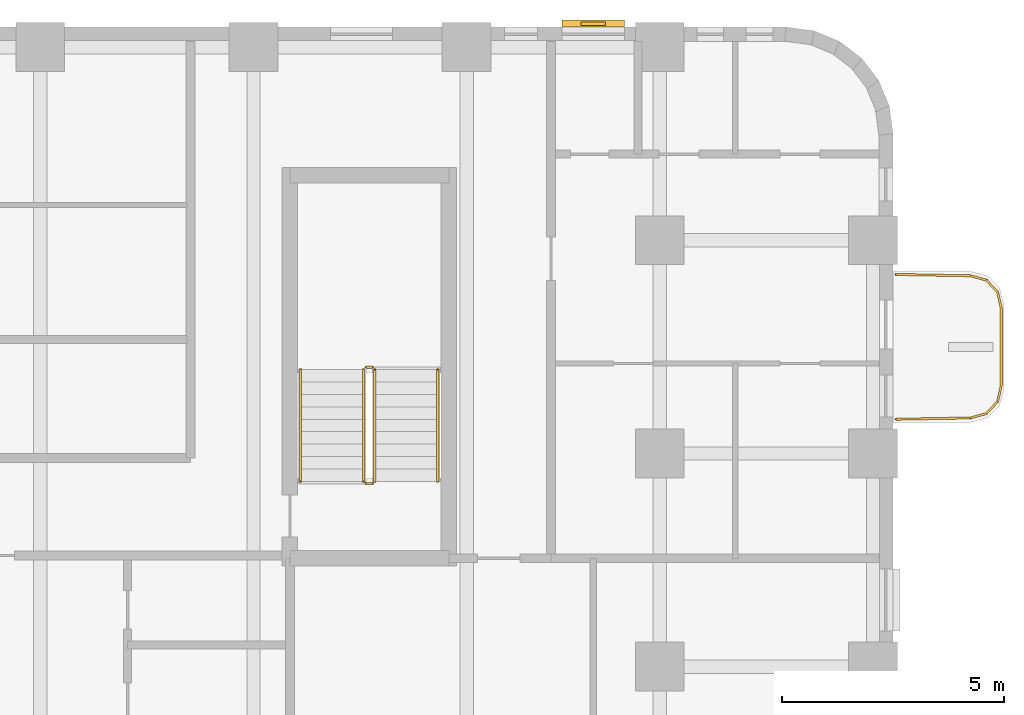
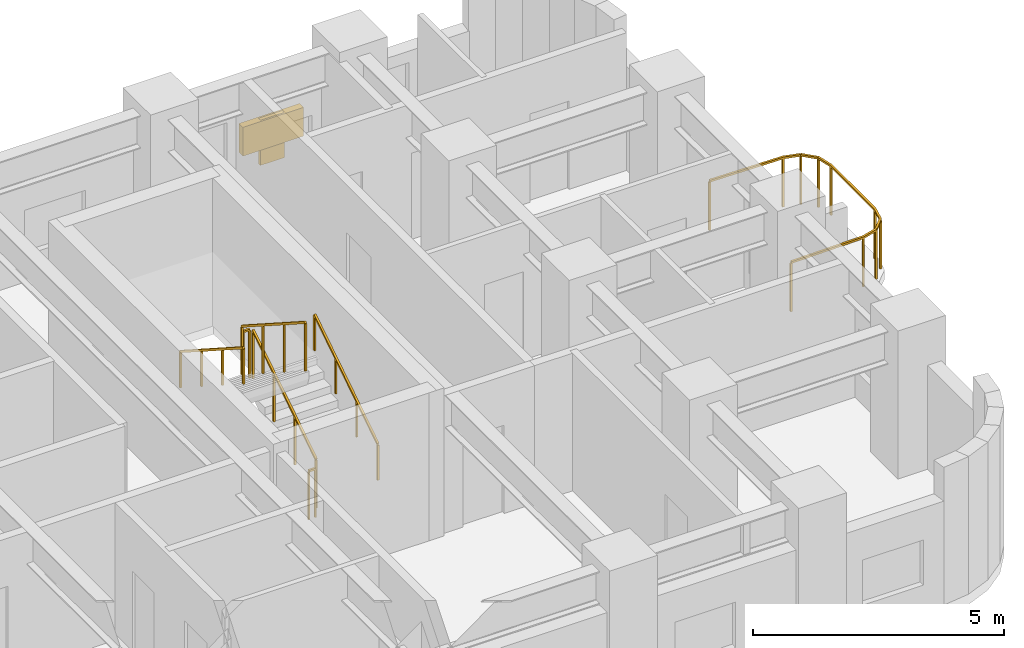
# One storey, part 10 of 10: 7 railings, 2 shading devices.
"""IFC4 building model written with IfcOpenShell, lengths in metres."""

from ifc_helpers import new_model, si_unit, direction, frame, origin, origin_2d, place, context, subcontext, project, spatial, rectangle, extrude, material, type_object, element, save


model = new_model("IFC4")

# Units and contexts
model_context = context("Model", 3, precision=1e-05, world=origin(), true_north=direction((0.0, 1.0)))
body_context = subcontext(model_context, "Body", "Model", "MODEL_VIEW")
ifc_project = project(units=[si_unit("LENGTHUNIT", "METRE"), si_unit("AREAUNIT", "SQUARE_METRE"), si_unit("VOLUMEUNIT", "CUBIC_METRE"), si_unit("PLANEANGLEUNIT", "RADIAN"), si_unit("MASSUNIT", "GRAM", prefix="KILO")], contexts=[model_context])

# Site, building, storey
site_placement = place(None, origin())
site = spatial("IfcSite", under=ifc_project, at=site_placement, CompositionType="ELEMENT")
building_placement = place(site_placement, origin())
building = spatial("IfcBuilding", under=site, at=building_placement, Name="Orvandelia Arch Residences", CompositionType="ELEMENT")
storey_placement = place(building_placement, frame((0.0, 0.0, 75.39990234375)))
storey = spatial("IfcBuildingStorey", under=building, at=storey_placement, Name="L19", CompositionType="ELEMENT", Elevation=75.39990234375)

# Railings
ifc_material_1 = material(Name="Marine-Grade Stainless Steel 316", Category="steel")
railing_type_1 = type_object("IfcRailingType", Name="GRD-BAL-1200", PredefinedType="BALUSTRADE", material=ifc_material_1)
railing_1_placement = place(storey_placement, frame((57.671875, 39.169677734375, 0.0)))
element("IfcRailing", 1, at=railing_1_placement, inside=storey, type_object=railing_type_1, Name="Safety Balustrade Guard GRD-L19-BAL-L19-E1-1", PredefinedType="BALUSTRADE", context=body_context, shape_type="SweptSolid", body=[
    extrude(rectangle(XDim=0.048095703125, YDim=0.048095703125, at=origin_2d()), frame((0.0, 0.0, 1.19580078125), z_axis=(0.999837384468, 0.018033430643, 0.0), x_axis=(-0.018033430643, 0.999837384468, 0.0)), (0.0, 0.0, 1.0), 1.6787109375),
    extrude(rectangle(XDim=0.048095703125, YDim=0.048095703125, at=origin_2d()), frame((1.678466796875, 0.0302734375, 1.19580078125), z_axis=(0.963441293861, 0.267919527627, 0.0), x_axis=(-0.267919527627, 0.963441293861, 0.0)), (0.0, 0.0, 1.0), 0.365478515625),
    extrude(rectangle(XDim=0.048095703125, YDim=0.048095703125, at=origin_2d()), frame((2.030517578125, 0.128173828125, 1.19580078125), z_axis=(0.688296224633, 0.725429739642, 0.0), x_axis=(-0.725429739642, 0.688296224633, 0.0)), (0.0, 0.0, 1.0), 0.3681640625),
    extrude(rectangle(XDim=0.048095703125, YDim=0.048095703125, at=origin_2d()), frame((2.283935546875, 0.395263671875, 1.19580078125), z_axis=(0.221225034864, 0.975222786828, 0.0), x_axis=(-0.975222786828, 0.221225034864, 0.0)), (0.0, 0.0, 1.0), 0.373046875),
    extrude(rectangle(XDim=0.048095703125, YDim=0.048095703125, at=origin_2d()), frame((2.366455078125, 0.759033203125, 1.19580078125), z_axis=(0.0, 1.0, 0.0), x_axis=(-1.0, 0.0, 0.0)), (0.0, 0.0, 1.0), 1.74267578125),
    extrude(rectangle(XDim=0.048095703125, YDim=0.048095703125, at=origin_2d()), frame((2.366455078125, 2.501708984375, 1.19580078125), z_axis=(-0.221225034864, 0.975222786828, 0.0), x_axis=(-0.975222786828, -0.221225034864, 0.0)), (0.0, 0.0, 1.0), 0.373046875),
    extrude(rectangle(XDim=0.048095703125, YDim=0.048095703125, at=origin_2d()), frame((2.283935546875, 2.865478515625, 1.19580078125), z_axis=(-0.688627404251, 0.725115368831, 0.0), x_axis=(-0.725115368831, -0.688627404251, 0.0)), (0.0, 0.0, 1.0), 0.367919921875),
    extrude(rectangle(XDim=0.048095703125, YDim=0.048095703125, at=origin_2d()), frame((2.030517578125, 3.13232421875, 1.19580078125), z_axis=(-0.963441293861, 0.267919527627, 0.0), x_axis=(-0.267919527627, -0.963441293861, 0.0)), (0.0, 0.0, 1.0), 0.365478515625),
    extrude(rectangle(XDim=0.048095703125, YDim=0.048095703125, at=origin_2d()), frame((1.678466796875, 3.230224609375, 1.19580078125), z_axis=(-0.999834751713, 0.018178813668, 0.0), x_axis=(-0.018178813668, -0.999834751713, 0.0)), (0.0, 0.0, 1.0), 1.6787109375),
    extrude(rectangle(XDim=0.0419921875, YDim=0.0419921875, at=origin_2d()), origin(), (0.0, 0.0, 1.0), 1.171875),
    extrude(rectangle(XDim=0.0419921875, YDim=0.0419921875, at=origin_2d()), frame((1.678466796875, 0.0302734375, 0.0)), (0.0, 0.0, 1.0), 1.171875),
    extrude(rectangle(XDim=0.0419921875, YDim=0.0419921875, at=origin_2d()), frame((2.030517578125, 0.128173828125, 0.0)), (0.0, 0.0, 1.0), 1.171875),
    extrude(rectangle(XDim=0.0419921875, YDim=0.0419921875, at=origin_2d()), frame((2.283935546875, 0.395263671875, 0.0)), (0.0, 0.0, 1.0), 1.171875),
    extrude(rectangle(XDim=0.0419921875, YDim=0.0419921875, at=origin_2d()), frame((2.366455078125, 0.759033203125, 0.0)), (0.0, 0.0, 1.0), 1.171875),
    extrude(rectangle(XDim=0.0419921875, YDim=0.0419921875, at=origin_2d()), frame((2.366455078125, 2.501708984375, 0.0)), (0.0, 0.0, 1.0), 1.171875),
    extrude(rectangle(XDim=0.0419921875, YDim=0.0419921875, at=origin_2d()), frame((2.283935546875, 2.865478515625, 0.0)), (0.0, 0.0, 1.0), 1.171875),
    extrude(rectangle(XDim=0.0419921875, YDim=0.0419921875, at=origin_2d()), frame((2.030517578125, 3.13232421875, 0.0)), (0.0, 0.0, 1.0), 1.171875),
    extrude(rectangle(XDim=0.0419921875, YDim=0.0419921875, at=origin_2d()), frame((1.678466796875, 3.230224609375, 0.0)), (0.0, 0.0, 1.0), 1.171875),
    extrude(rectangle(XDim=0.0419921875, YDim=0.0419921875, at=origin_2d()), frame((0.0, 3.2607421875, 0.0)), (0.0, 0.0, 1.0), 1.171875),
])
ifc_material_2 = material(Name="Brushed Stainless Steel 304", Category="steel")
railing_type_2 = type_object("IfcRailingType", Name="RL-STAIR-GD1120", PredefinedType="GUARDRAIL", material=ifc_material_2)
railing_2_placement = place(storey_placement, frame((45.929931640625, 37.77001953125, 0.18017578125)))
element("IfcRailing", 2, at=railing_2_placement, inside=storey, type_object=railing_type_2, Name="L19 ST-3 stair guard 1", PredefinedType="GUARDRAIL", context=body_context, shape_type="SweptSolid", body=[
    extrude(rectangle(XDim=0.048095703125, YDim=0.048095703125, at=origin_2d()), frame((0.0, 0.0, 1.17578125), z_axis=(0.0, 0.841199657755, 0.540724639528), x_axis=(-1.0, 0.0, 0.0)), (0.0, 0.0, 1.0), 2.995849609375),
    extrude(rectangle(XDim=0.0419921875, YDim=0.0419921875, at=origin_2d()), origin(), (0.0, 0.0, 1.0), 1.15185546875),
    extrude(rectangle(XDim=0.0419921875, YDim=0.0419921875, at=origin_2d()), frame((0.0, 0.840087890625, 0.5400390625)), (0.0, 0.0, 1.0), 1.15185546875),
    extrude(rectangle(XDim=0.0419921875, YDim=0.0419921875, at=origin_2d()), frame((0.0, 1.679931640625, 1.079833984375)), (0.0, 0.0, 1.0), 1.15185546875),
    extrude(rectangle(XDim=0.0419921875, YDim=0.0419921875, at=origin_2d()), frame((0.0, 2.52001953125, 1.619873046875)), (0.0, 0.0, 1.0), 1.15185546875),
])
railing_3_placement = place(storey_placement, frame((45.8798828125, 40.340087890625, 1.800048828125)))
element("IfcRailing", 3, at=railing_3_placement, inside=storey, type_object=railing_type_2, Name="L19 ST-3 stair guard 2", PredefinedType="GUARDRAIL", context=body_context, shape_type="SweptSolid", body=[
    extrude(rectangle(XDim=0.048095703125, YDim=0.048095703125, at=origin_2d()), frame((0.0, 0.0, 1.17578125), z_axis=(-1.0, 0.0, 0.0), x_axis=(0.0, -1.0, 0.0)), (0.0, 0.0, 1.0), 0.14990234375),
    extrude(rectangle(XDim=0.0419921875, YDim=0.0419921875, at=origin_2d()), origin(), (0.0, 0.0, 1.0), 1.15185546875),
    extrude(rectangle(XDim=0.0419921875, YDim=0.0419921875, at=origin_2d()), frame((-0.14990234375, 0.0, 0.0)), (0.0, 0.0, 1.0), 1.15185546875),
])
railing_4_placement = place(storey_placement, frame((45.679931640625, 40.2900390625, 1.97998046875)))
element("IfcRailing", 4, at=railing_4_placement, inside=storey, type_object=railing_type_2, Name="L19 ST-3 stair guard 3", PredefinedType="GUARDRAIL", context=body_context, shape_type="SweptSolid", body=[
    extrude(rectangle(XDim=0.048095703125, YDim=0.048095703125, at=origin_2d()), frame((0.0, 0.0, 1.17578125), z_axis=(0.0, -0.841162588446, 0.540782303519), x_axis=(1.0, 0.0, 0.0)), (0.0, 0.0, 1.0), 2.995849609375),
    extrude(rectangle(XDim=0.0419921875, YDim=0.0419921875, at=origin_2d()), origin(), (0.0, 0.0, 1.0), 1.15185546875),
    extrude(rectangle(XDim=0.0419921875, YDim=0.0419921875, at=origin_2d()), frame((0.0, -0.840087890625, 0.5400390625)), (0.0, 0.0, 1.0), 1.15185546875),
    extrude(rectangle(XDim=0.0419921875, YDim=0.0419921875, at=origin_2d()), frame((0.0, -1.679931640625, 1.080078125)), (0.0, 0.0, 1.0), 1.15185546875),
    extrude(rectangle(XDim=0.0419921875, YDim=0.0419921875, at=origin_2d()), frame((0.0, -2.52001953125, 1.6201171875)), (0.0, 0.0, 1.0), 1.15185546875),
])
railing_5_placement = place(storey_placement, frame((45.8798828125, 37.719970703125, 0.0)))
element("IfcRailing", 5, at=railing_5_placement, inside=storey, type_object=railing_type_2, Name="L19 ST-3 stair guard 4", PredefinedType="GUARDRAIL", context=body_context, shape_type="SweptSolid", body=[
    extrude(rectangle(XDim=0.048095703125, YDim=0.048095703125, at=origin_2d()), frame((0.0, 0.0, 1.17578125), z_axis=(-1.0, 0.0, 0.0), x_axis=(0.0, -1.0, 0.0)), (0.0, 0.0, 1.0), 0.14990234375),
    extrude(rectangle(XDim=0.0419921875, YDim=0.0419921875, at=origin_2d()), origin(), (0.0, 0.0, 1.0), 1.15185546875),
    extrude(rectangle(XDim=0.0419921875, YDim=0.0419921875, at=origin_2d()), frame((-0.14990234375, 0.0, 0.0)), (0.0, 0.0, 1.0), 1.15185546875),
])
railing_type_3 = type_object("IfcRailingType", Name="RL-STAIR-HR920", PredefinedType="HANDRAIL", material=ifc_material_2)
railing_6_placement = place(storey_placement, frame((47.35009765625, 37.77001953125, 0.360107421875)))
element("IfcRailing", 6, at=railing_6_placement, inside=storey, type_object=railing_type_3, Name="L19 ST-3 stair handrail 1", PredefinedType="HANDRAIL", context=body_context, shape_type="SweptSolid", body=[
    extrude(rectangle(XDim=0.048095703125, YDim=0.048095703125, at=origin_2d()), frame((0.0, 0.0, 0.8759765625), z_axis=(0.0, 0.841199657755, 0.540724639528), x_axis=(-1.0, 0.0, 0.0)), (0.0, 0.0, 1.0), 2.995849609375),
    extrude(rectangle(XDim=0.0419921875, YDim=0.0419921875, at=origin_2d()), origin(), (0.0, 0.0, 1.0), 0.851806640625),
    extrude(rectangle(XDim=0.0419921875, YDim=0.0419921875, at=origin_2d()), frame((0.0, 0.840087890625, 0.5400390625)), (0.0, 0.0, 1.0), 0.851806640625),
    extrude(rectangle(XDim=0.0419921875, YDim=0.0419921875, at=origin_2d()), frame((0.0, 1.679931640625, 1.079833984375)), (0.0, 0.0, 1.0), 0.851806640625),
    extrude(rectangle(XDim=0.0419921875, YDim=0.0419921875, at=origin_2d()), frame((0.0, 2.52001953125, 1.619873046875)), (0.0, 0.0, 1.0), 0.851806640625),
])
railing_7_placement = place(storey_placement, frame((44.260009765625, 40.2900390625, 2.16015625)))
element("IfcRailing", 7, at=railing_7_placement, inside=storey, type_object=railing_type_3, Name="L19 ST-3 stair handrail 2", PredefinedType="HANDRAIL", context=body_context, shape_type="SweptSolid", body=[
    extrude(rectangle(XDim=0.048095703125, YDim=0.048095703125, at=origin_2d()), frame((0.0, 0.0, 0.8759765625), z_axis=(0.0, -0.841199657755, 0.540724639528), x_axis=(1.0, 0.0, 0.0)), (0.0, 0.0, 1.0), 2.995849609375),
    extrude(rectangle(XDim=0.0419921875, YDim=0.0419921875, at=origin_2d()), origin(), (0.0, 0.0, 1.0), 0.851806640625),
    extrude(rectangle(XDim=0.0419921875, YDim=0.0419921875, at=origin_2d()), frame((0.0, -0.840087890625, 0.5400390625)), (0.0, 0.0, 1.0), 0.851806640625),
    extrude(rectangle(XDim=0.0419921875, YDim=0.0419921875, at=origin_2d()), frame((0.0, -1.679931640625, 1.079833984375)), (0.0, 0.0, 1.0), 0.851806640625),
    extrude(rectangle(XDim=0.0419921875, YDim=0.0419921875, at=origin_2d()), frame((0.0, -2.52001953125, 1.619873046875)), (0.0, 0.0, 1.0), 0.851806640625),
])

# Shading devices
ifc_material_3 = material(Name="Anodised Champagne-Bronze Extruded Aluminium", Category="aluminium")
shading_device_type_1 = type_object("IfcShadingDeviceType", Name="SHD-JALOUSIE-SCREEN", PredefinedType="JALOUSIE", material=ifc_material_3)
shading_device_1_placement = place(storey_placement, frame((50.85009765625, 48.080078125, 1.05029296875), z_axis=(0.0, 0.0, 1.0), x_axis=(1.0, 0.0, 0.0)))
element("IfcShadingDevice", 8, at=shading_device_1_placement, inside=storey, type_object=shading_device_type_1, Name="Bronze Jalousie Sun-Shade L19-003", PredefinedType="JALOUSIE", context=body_context, shape_type="SweptSolid", body=[
    extrude(rectangle(XDim=1.39990234375, YDim=0.159912109375, at=origin_2d()), origin(), (0.0, 0.0, 1.0), 0.699951171875),
])
ifc_material_4 = material(Name="Marine-Grade Perforated Aluminium Storm Shutter", Category="aluminium")
shading_device_type_2 = type_object("IfcShadingDeviceType", Name="SHD-STORM-SHUTTER", PredefinedType="SHUTTER", material=ifc_material_4)
shading_device_2_placement = place(storey_placement, frame((50.85009765625, 48.080078125, 0.650146484375), z_axis=(0.0, 0.0, 1.0), x_axis=(1.0, 0.0, 0.0)))
element("IfcShadingDevice", 9, at=shading_device_2_placement, inside=storey, type_object=shading_device_type_2, Name="Operable Typhoon Storm Shutter L19-003", PredefinedType="SHUTTER", context=body_context, shape_type="SweptSolid", body=[
    extrude(rectangle(XDim=0.550048828125, YDim=0.080078125, at=origin_2d()), origin(), (0.0, 0.0, 1.0), 1.10009765625),
])

save(model, "model.ifc")
